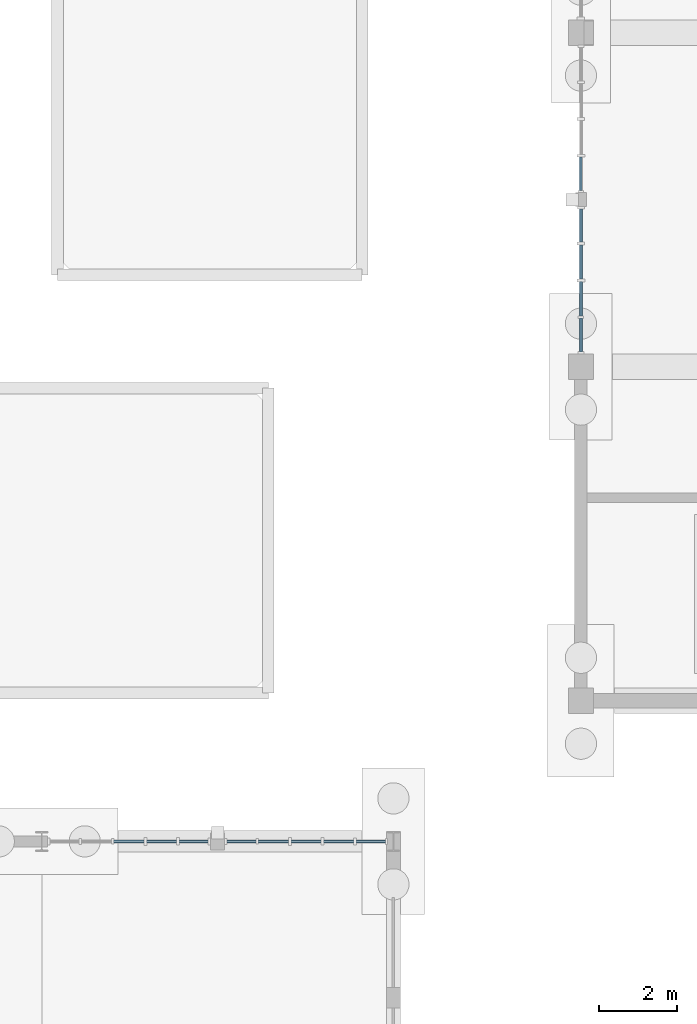
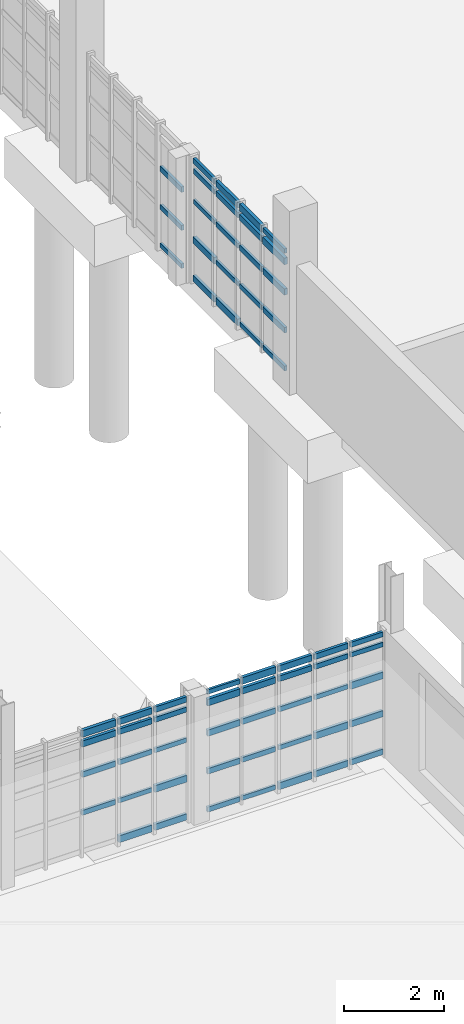
# One storey, part 70 of 125: 62 members, 4 elements without a shape of their own.
"""IFC4 building model written with IfcOpenShell, lengths in metres."""

from ifc_helpers import new_model, si_unit, direction, frame, origin, origin_2d, place, context, subcontext, project, spatial, rectangle, extrude, material, material_profile, profile_set, type_object, element, aggregate, save


model = new_model("IFC4")

# Units and contexts
model_context = context("Model", 3, precision=1e-05, world=origin(), true_north=direction((0.0, 1.0)))
body_context = subcontext(model_context, "Body", "Model", "MODEL_VIEW")
ifc_project = project(units=[si_unit("LENGTHUNIT", "METRE"), si_unit("AREAUNIT", "SQUARE_METRE"), si_unit("VOLUMEUNIT", "CUBIC_METRE"), si_unit("PLANEANGLEUNIT", "RADIAN"), si_unit("MASSUNIT", "GRAM", prefix="KILO")], contexts=[model_context])

# Site, building, storey
site_placement = place(None, origin())
site = spatial("IfcSite", under=ifc_project, at=site_placement, CompositionType="ELEMENT")
building_placement = place(site_placement, origin())
building = spatial("IfcBuilding", under=site, at=building_placement, Name="Serraforn Aerial Cableway Station", CompositionType="ELEMENT")
storey_placement = place(building_placement, frame((0.0, 0.0, 4.5)))
storey = spatial("IfcBuildingStorey", under=building, at=storey_placement, Name="L01", CompositionType="ELEMENT", Elevation=4.5)

# Curtain wall, members
ifc_material_1 = material(Name="Anodised bronze unitised curtain wall")
curtain_wall_type_1 = type_object("IfcCurtainWallType", Name="CW-SYS-21", PredefinedType="USERDEFINED", material=ifc_material_1)
curtain_wall_1_placement = place(storey_placement, origin())
curtain_wall_1 = element("IfcCurtainWall", 1, at=curtain_wall_1_placement, inside=storey, type_object=curtain_wall_type_1, Name="Unitised Curtain Wall CW-EL-L01-N5A", ObjectType="UNITISED CURTAIN WALL", PredefinedType="USERDEFINED")
ifc_material_2 = material(Name="Anodised bronze extruded aluminium", Category="aluminium")
ifc_material_profile_1 = material_profile(ifc_material_2, rectangle(XDim=0.054931640625, YDim=0.110107421875, at=origin_2d()), Name="CW TRANSOM 55x110")
ifc_profile_set_1 = profile_set([ifc_material_profile_1], Name="Anodised bronze extruded aluminium")
member_type_1 = type_object("IfcMemberType", Name="CW-TRN-1", PredefinedType="USERDEFINED", material=ifc_profile_set_1)
member_1_placement = place(storey_placement, frame((138.993896484375, 42.0, 2.74560546875), z_axis=(-1.0, 0.0, 0.0), x_axis=(0.0, -1.0, 0.0)))
member_1 = element("IfcMember", 2, at=member_1_placement, type_object=member_type_1, Name="Curtain Wall Transom CW-EL-L01-N5A-T1-4", ObjectType="TRANSOM", PredefinedType="USERDEFINED", context=body_context, shape_type="SweptSolid", body=[
    extrude(rectangle(XDim=0.054931640625, YDim=0.110107421875, at=origin_2d()), origin(), (0.0, 0.0, 1.0), 0.745849609375),
])
member_2_placement = place(storey_placement, frame((138.18701171875, 42.0, 1.996826171875), z_axis=(-1.0, 0.0, 0.0), x_axis=(0.0, -1.0, 0.0)))
member_2 = element("IfcMember", 3, at=member_2_placement, type_object=member_type_1, Name="Curtain Wall Transom CW-EL-L01-N5A-T2-3", ObjectType="TRANSOM", PredefinedType="USERDEFINED", context=body_context, shape_type="SweptSolid", body=[
    extrude(rectangle(XDim=0.054931640625, YDim=0.110107421875, at=origin_2d()), origin(), (0.0, 0.0, 1.0), 0.770751953125),
])
member_3_placement = place(storey_placement, frame((137.35009765625, 42.0, 1.060791015625), z_axis=(-1.0, 0.0, 0.0), x_axis=(0.0, -1.0, 0.0)))
member_3 = element("IfcMember", 4, at=member_3_placement, type_object=member_type_1, Name="Curtain Wall Transom CW-EL-L01-N5A-T3-2", ObjectType="TRANSOM", PredefinedType="USERDEFINED", context=body_context, shape_type="SweptSolid", body=[
    extrude(rectangle(XDim=0.054931640625, YDim=0.110107421875, at=origin_2d()), origin(), (0.0, 0.0, 1.0), 0.765869140625),
])
member_4_placement = place(storey_placement, frame((136.51318359375, 42.0, 0.124755859375), z_axis=(-1.0, 0.0, 0.0), x_axis=(0.0, -1.0, 0.0)))
member_4 = element("IfcMember", 5, at=member_4_placement, type_object=member_type_1, Name="Curtain Wall Transom CW-EL-L01-N5A-T4-1", ObjectType="TRANSOM", PredefinedType="USERDEFINED", context=body_context, shape_type="SweptSolid", body=[
    extrude(rectangle(XDim=0.054931640625, YDim=0.110107421875, at=origin_2d()), origin(), (0.0, 0.0, 1.0), 0.773193359375),
])
member_5_placement = place(storey_placement, frame((135.68896484375, 42.0, 2.9951171875), z_axis=(-1.0, 0.0, 0.0), x_axis=(0.0, -1.0, 0.0)))
member_5 = element("IfcMember", 6, at=member_5_placement, type_object=member_type_1, Name="Curtain Wall Transom CW-EL-L01-N5A-T5-5", ObjectType="TRANSOM", PredefinedType="USERDEFINED", context=body_context, shape_type="SweptSolid", body=[
    extrude(rectangle(XDim=0.054931640625, YDim=0.110107421875, at=origin_2d()), origin(), (0.0, 0.0, 1.0), 0.7509765625),
])

curtain_wall_type_2 = type_object("IfcCurtainWallType", Name="CW-SYS-22", PredefinedType="USERDEFINED", material=ifc_material_1)
curtain_wall_2_placement = place(storey_placement, origin())
curtain_wall_2 = element("IfcCurtainWall", 7, at=curtain_wall_2_placement, inside=storey, type_object=curtain_wall_type_2, Name="Unitised Curtain Wall CW-EL-L01-N5B", ObjectType="UNITISED CURTAIN WALL", PredefinedType="USERDEFINED")
member_6_placement = place(storey_placement, frame((134.45703125, 42.0, 1.996826171875), z_axis=(-1.0, 0.0, 0.0), x_axis=(0.0, -1.0, 0.0)))
member_6 = element("IfcMember", 8, at=member_6_placement, type_object=member_type_1, Name="Curtain Wall Transom CW-EL-L01-N5B-T1-3", ObjectType="TRANSOM", PredefinedType="USERDEFINED", context=body_context, shape_type="SweptSolid", body=[
    extrude(rectangle(XDim=0.054931640625, YDim=0.110107421875, at=origin_2d()), origin(), (0.0, 0.0, 1.0), 0.738525390625),
])
member_7_placement = place(storey_placement, frame((133.652587890625, 42.0, 1.060791015625), z_axis=(-1.0, 0.0, 0.0), x_axis=(0.0, -1.0, 0.0)))
member_7 = element("IfcMember", 9, at=member_7_placement, type_object=member_type_1, Name="Curtain Wall Transom CW-EL-L01-N5B-T2-2", ObjectType="TRANSOM", PredefinedType="USERDEFINED", context=body_context, shape_type="SweptSolid", body=[
    extrude(rectangle(XDim=0.054931640625, YDim=0.110107421875, at=origin_2d()), origin(), (0.0, 0.0, 1.0), 0.765869140625),
])

# Curtain wall, member
curtain_wall_type_3 = type_object("IfcCurtainWallType", Name="CW-SYS-3", PredefinedType="USERDEFINED", material=ifc_material_1)
curtain_wall_3_placement = place(storey_placement, origin())
curtain_wall_3 = element("IfcCurtainWall", 10, at=curtain_wall_3_placement, inside=storey, type_object=curtain_wall_type_3, Name="Unitised Curtain Wall CW-EG-L01-W2A", ObjectType="UNITISED CURTAIN WALL", PredefinedType="USERDEFINED")
member_8_placement = place(storey_placement, frame((144.0, 59.512451171875, 0.124755859375), z_axis=(0.0, -1.0, 0.0), x_axis=(1.0, 0.0, 0.0)))
member_8 = element("IfcMember", 11, at=member_8_placement, type_object=member_type_1, Name="Curtain Wall Transom CW-EG-L01-W2A-T4-1", ObjectType="TRANSOM", PredefinedType="USERDEFINED", context=body_context, shape_type="SweptSolid", body=[
    extrude(rectangle(XDim=0.054931640625, YDim=0.110107421875, at=origin_2d()), origin(), (0.0, 0.0, 1.0), 0.8544921875),
])

# Curtain wall, members
curtain_wall_type_4 = type_object("IfcCurtainWallType", Name="CW-SYS-4", PredefinedType="USERDEFINED", material=ifc_material_1)
curtain_wall_4_placement = place(storey_placement, origin())
curtain_wall_4 = element("IfcCurtainWall", 12, at=curtain_wall_4_placement, inside=storey, type_object=curtain_wall_type_4, Name="Unitised Curtain Wall CW-EG-L01-W2B", ObjectType="UNITISED CURTAIN WALL", PredefinedType="USERDEFINED")
member_9_placement = place(storey_placement, frame((144.0, 58.181884765625, 1.996826171875), z_axis=(0.0, -1.0, 0.0), x_axis=(1.0, 0.0, 0.0)))
member_9 = element("IfcMember", 13, at=member_9_placement, type_object=member_type_1, Name="Curtain Wall Transom CW-EG-L01-W2B-T1-3", ObjectType="TRANSOM", PredefinedType="USERDEFINED", context=body_context, shape_type="SweptSolid", body=[
    extrude(rectangle(XDim=0.054931640625, YDim=0.110107421875, at=origin_2d()), origin(), (0.0, 0.0, 1.0), 0.846923828125),
])
member_10_placement = place(storey_placement, frame((144.0, 57.26904296875, 1.060791015625), z_axis=(0.0, -1.0, 0.0), x_axis=(1.0, 0.0, 0.0)))
member_10 = element("IfcMember", 14, at=member_10_placement, type_object=member_type_1, Name="Curtain Wall Transom CW-EG-L01-W2B-T2-2", ObjectType="TRANSOM", PredefinedType="USERDEFINED", context=body_context, shape_type="SweptSolid", body=[
    extrude(rectangle(XDim=0.054931640625, YDim=0.110107421875, at=origin_2d()), origin(), (0.0, 0.0, 1.0), 0.87451171875),
])
member_11_placement = place(storey_placement, frame((144.0, 56.323486328125, 0.124755859375), z_axis=(0.0, -1.0, 0.0), x_axis=(1.0, 0.0, 0.0)))
member_11 = element("IfcMember", 15, at=member_11_placement, type_object=member_type_1, Name="Curtain Wall Transom CW-EG-L01-W2B-T3-1", ObjectType="TRANSOM", PredefinedType="USERDEFINED", context=body_context, shape_type="SweptSolid", body=[
    extrude(rectangle(XDim=0.054931640625, YDim=0.110107421875, at=origin_2d()), origin(), (0.0, 0.0, 1.0), 0.882080078125),
])
member_12_placement = place(storey_placement, frame((144.0, 55.390380859375, 2.9951171875), z_axis=(0.0, -1.0, 0.0), x_axis=(1.0, 0.0, 0.0)))
member_12 = element("IfcMember", 16, at=member_12_placement, type_object=member_type_1, Name="Curtain Wall Transom CW-EG-L01-W2B-T4-5", ObjectType="TRANSOM", PredefinedType="USERDEFINED", context=body_context, shape_type="SweptSolid", body=[
    extrude(rectangle(XDim=0.054931640625, YDim=0.110107421875, at=origin_2d()), origin(), (0.0, 0.0, 1.0), 0.859375),
])

# Member
ifc_material_profile_2 = material_profile(ifc_material_2, rectangle(XDim=0.06005859375, YDim=0.1201171875, at=origin_2d()), Name="CW TRANSOM 60x120")
ifc_profile_set_2 = profile_set([ifc_material_profile_2], Name="Anodised bronze extruded aluminium")
member_type_2 = type_object("IfcMemberType", Name="CW-TRN-2", PredefinedType="USERDEFINED", material=ifc_profile_set_2)
member_13_placement = place(storey_placement, frame((138.993896484375, 42.0, 2.9951171875), z_axis=(-1.0, 0.0, 0.0), x_axis=(0.0, -1.0, 0.0)))
member_13 = element("IfcMember", 17, at=member_13_placement, type_object=member_type_2, Name="Curtain Wall Transom CW-EL-L01-N5A-T1-5", ObjectType="TRANSOM", PredefinedType="USERDEFINED", context=body_context, shape_type="SweptSolid", body=[
    extrude(rectangle(XDim=0.06005859375, YDim=0.1201171875, at=origin_2d()), origin(), (0.0, 0.0, 1.0), 0.745849609375),
])

member_14_placement = place(storey_placement, frame((138.18701171875, 42.0, 2.74560546875), z_axis=(-1.0, 0.0, 0.0), x_axis=(0.0, -1.0, 0.0)))
member_14 = element("IfcMember", 18, at=member_14_placement, type_object=member_type_2, Name="Curtain Wall Transom CW-EL-L01-N5A-T2-4", ObjectType="TRANSOM", PredefinedType="USERDEFINED", context=body_context, shape_type="SweptSolid", body=[
    extrude(rectangle(XDim=0.06005859375, YDim=0.1201171875, at=origin_2d()), origin(), (0.0, 0.0, 1.0), 0.770751953125),
])

member_15_placement = place(storey_placement, frame((137.35009765625, 42.0, 1.996826171875), z_axis=(-1.0, 0.0, 0.0), x_axis=(0.0, -1.0, 0.0)))
member_15 = element("IfcMember", 19, at=member_15_placement, type_object=member_type_2, Name="Curtain Wall Transom CW-EL-L01-N5A-T3-3", ObjectType="TRANSOM", PredefinedType="USERDEFINED", context=body_context, shape_type="SweptSolid", body=[
    extrude(rectangle(XDim=0.06005859375, YDim=0.1201171875, at=origin_2d()), origin(), (0.0, 0.0, 1.0), 0.765869140625),
])

member_16_placement = place(storey_placement, frame((136.51318359375, 42.0, 1.060791015625), z_axis=(-1.0, 0.0, 0.0), x_axis=(0.0, -1.0, 0.0)))
member_16 = element("IfcMember", 20, at=member_16_placement, type_object=member_type_2, Name="Curtain Wall Transom CW-EL-L01-N5A-T4-2", ObjectType="TRANSOM", PredefinedType="USERDEFINED", context=body_context, shape_type="SweptSolid", body=[
    extrude(rectangle(XDim=0.06005859375, YDim=0.1201171875, at=origin_2d()), origin(), (0.0, 0.0, 1.0), 0.773193359375),
])

member_17_placement = place(storey_placement, frame((135.68896484375, 42.0, 0.124755859375), z_axis=(-1.0, 0.0, 0.0), x_axis=(0.0, -1.0, 0.0)))
member_17 = element("IfcMember", 21, at=member_17_placement, type_object=member_type_2, Name="Curtain Wall Transom CW-EL-L01-N5A-T5-1", ObjectType="TRANSOM", PredefinedType="USERDEFINED", context=body_context, shape_type="SweptSolid", body=[
    extrude(rectangle(XDim=0.06005859375, YDim=0.1201171875, at=origin_2d()), origin(), (0.0, 0.0, 1.0), 0.7509765625),
])

member_18_placement = place(storey_placement, frame((134.45703125, 42.0, 2.74560546875), z_axis=(-1.0, 0.0, 0.0), x_axis=(0.0, -1.0, 0.0)))
member_18 = element("IfcMember", 22, at=member_18_placement, type_object=member_type_2, Name="Curtain Wall Transom CW-EL-L01-N5B-T1-4", ObjectType="TRANSOM", PredefinedType="USERDEFINED", context=body_context, shape_type="SweptSolid", body=[
    extrude(rectangle(XDim=0.06005859375, YDim=0.1201171875, at=origin_2d()), origin(), (0.0, 0.0, 1.0), 0.738525390625),
])

member_19_placement = place(storey_placement, frame((133.652587890625, 42.0, 1.996826171875), z_axis=(-1.0, 0.0, 0.0), x_axis=(0.0, -1.0, 0.0)))
member_19 = element("IfcMember", 23, at=member_19_placement, type_object=member_type_2, Name="Curtain Wall Transom CW-EL-L01-N5B-T2-3", ObjectType="TRANSOM", PredefinedType="USERDEFINED", context=body_context, shape_type="SweptSolid", body=[
    extrude(rectangle(XDim=0.06005859375, YDim=0.1201171875, at=origin_2d()), origin(), (0.0, 0.0, 1.0), 0.765869140625),
])

member_20_placement = place(storey_placement, frame((132.815673828125, 42.0, 1.060791015625), z_axis=(-1.0, 0.0, 0.0), x_axis=(0.0, -1.0, 0.0)))
member_20 = element("IfcMember", 24, at=member_20_placement, type_object=member_type_2, Name="Curtain Wall Transom CW-EL-L01-N5B-T3-2", ObjectType="TRANSOM", PredefinedType="USERDEFINED", context=body_context, shape_type="SweptSolid", body=[
    extrude(rectangle(XDim=0.06005859375, YDim=0.1201171875, at=origin_2d()), origin(), (0.0, 0.0, 1.0), 0.7734375),
])

member_21_placement = place(storey_placement, frame((144.0, 59.512451171875, 1.060791015625), z_axis=(0.0, -1.0, 0.0), x_axis=(1.0, 0.0, 0.0)))
member_21 = element("IfcMember", 25, at=member_21_placement, type_object=member_type_2, Name="Curtain Wall Transom CW-EG-L01-W2A-T4-2", ObjectType="TRANSOM", PredefinedType="USERDEFINED", context=body_context, shape_type="SweptSolid", body=[
    extrude(rectangle(XDim=0.06005859375, YDim=0.1201171875, at=origin_2d()), origin(), (0.0, 0.0, 1.0), 0.8544921875),
])

member_22_placement = place(storey_placement, frame((144.0, 58.181884765625, 2.74560546875), z_axis=(0.0, -1.0, 0.0), x_axis=(1.0, 0.0, 0.0)))
member_22 = element("IfcMember", 26, at=member_22_placement, type_object=member_type_2, Name="Curtain Wall Transom CW-EG-L01-W2B-T1-4", ObjectType="TRANSOM", PredefinedType="USERDEFINED", context=body_context, shape_type="SweptSolid", body=[
    extrude(rectangle(XDim=0.06005859375, YDim=0.1201171875, at=origin_2d()), origin(), (0.0, 0.0, 1.0), 0.846923828125),
])

member_23_placement = place(storey_placement, frame((144.0, 57.26904296875, 1.996826171875), z_axis=(0.0, -1.0, 0.0), x_axis=(1.0, 0.0, 0.0)))
member_23 = element("IfcMember", 27, at=member_23_placement, type_object=member_type_2, Name="Curtain Wall Transom CW-EG-L01-W2B-T2-3", ObjectType="TRANSOM", PredefinedType="USERDEFINED", context=body_context, shape_type="SweptSolid", body=[
    extrude(rectangle(XDim=0.06005859375, YDim=0.1201171875, at=origin_2d()), origin(), (0.0, 0.0, 1.0), 0.87451171875),
])

member_24_placement = place(storey_placement, frame((144.0, 56.323486328125, 1.060791015625), z_axis=(0.0, -1.0, 0.0), x_axis=(1.0, 0.0, 0.0)))
member_24 = element("IfcMember", 28, at=member_24_placement, type_object=member_type_2, Name="Curtain Wall Transom CW-EG-L01-W2B-T3-2", ObjectType="TRANSOM", PredefinedType="USERDEFINED", context=body_context, shape_type="SweptSolid", body=[
    extrude(rectangle(XDim=0.06005859375, YDim=0.1201171875, at=origin_2d()), origin(), (0.0, 0.0, 1.0), 0.882080078125),
])

member_25_placement = place(storey_placement, frame((144.0, 55.390380859375, 0.124755859375), z_axis=(0.0, -1.0, 0.0), x_axis=(1.0, 0.0, 0.0)))
member_25 = element("IfcMember", 29, at=member_25_placement, type_object=member_type_2, Name="Curtain Wall Transom CW-EG-L01-W2B-T4-1", ObjectType="TRANSOM", PredefinedType="USERDEFINED", context=body_context, shape_type="SweptSolid", body=[
    extrude(rectangle(XDim=0.06005859375, YDim=0.1201171875, at=origin_2d()), origin(), (0.0, 0.0, 1.0), 0.859375),
])

ifc_material_profile_3 = material_profile(ifc_material_2, rectangle(XDim=0.06494140625, YDim=0.135009765625, at=origin_2d()), Name="CW TRANSOM 65x135")
ifc_profile_set_3 = profile_set([ifc_material_profile_3], Name="Anodised bronze extruded aluminium")
member_type_3 = type_object("IfcMemberType", Name="CW-TRN-3", PredefinedType="USERDEFINED", material=ifc_profile_set_3)
member_26_placement = place(storey_placement, frame((138.993896484375, 42.0, 0.124755859375), z_axis=(-1.0, 0.0, 0.0), x_axis=(0.0, -1.0, 0.0)))
member_26 = element("IfcMember", 30, at=member_26_placement, type_object=member_type_3, Name="Curtain Wall Transom CW-EL-L01-N5A-T1-1", ObjectType="TRANSOM", PredefinedType="USERDEFINED", context=body_context, shape_type="SweptSolid", body=[
    extrude(rectangle(XDim=0.06494140625, YDim=0.135009765625, at=origin_2d()), origin(), (0.0, 0.0, 1.0), 0.745849609375),
])

member_27_placement = place(storey_placement, frame((138.18701171875, 42.0, 2.9951171875), z_axis=(-1.0, 0.0, 0.0), x_axis=(0.0, -1.0, 0.0)))
member_27 = element("IfcMember", 31, at=member_27_placement, type_object=member_type_3, Name="Curtain Wall Transom CW-EL-L01-N5A-T2-5", ObjectType="TRANSOM", PredefinedType="USERDEFINED", context=body_context, shape_type="SweptSolid", body=[
    extrude(rectangle(XDim=0.06494140625, YDim=0.135009765625, at=origin_2d()), origin(), (0.0, 0.0, 1.0), 0.770751953125),
])

member_28_placement = place(storey_placement, frame((137.35009765625, 42.0, 2.74560546875), z_axis=(-1.0, 0.0, 0.0), x_axis=(0.0, -1.0, 0.0)))
member_28 = element("IfcMember", 32, at=member_28_placement, type_object=member_type_3, Name="Curtain Wall Transom CW-EL-L01-N5A-T3-4", ObjectType="TRANSOM", PredefinedType="USERDEFINED", context=body_context, shape_type="SweptSolid", body=[
    extrude(rectangle(XDim=0.06494140625, YDim=0.135009765625, at=origin_2d()), origin(), (0.0, 0.0, 1.0), 0.765869140625),
])

member_29_placement = place(storey_placement, frame((136.51318359375, 42.0, 1.996826171875), z_axis=(-1.0, 0.0, 0.0), x_axis=(0.0, -1.0, 0.0)))
member_29 = element("IfcMember", 33, at=member_29_placement, type_object=member_type_3, Name="Curtain Wall Transom CW-EL-L01-N5A-T4-3", ObjectType="TRANSOM", PredefinedType="USERDEFINED", context=body_context, shape_type="SweptSolid", body=[
    extrude(rectangle(XDim=0.06494140625, YDim=0.135009765625, at=origin_2d()), origin(), (0.0, 0.0, 1.0), 0.773193359375),
])

member_30_placement = place(storey_placement, frame((135.68896484375, 42.0, 1.060791015625), z_axis=(-1.0, 0.0, 0.0), x_axis=(0.0, -1.0, 0.0)))
member_30 = element("IfcMember", 34, at=member_30_placement, type_object=member_type_3, Name="Curtain Wall Transom CW-EL-L01-N5A-T5-2", ObjectType="TRANSOM", PredefinedType="USERDEFINED", context=body_context, shape_type="SweptSolid", body=[
    extrude(rectangle(XDim=0.06494140625, YDim=0.135009765625, at=origin_2d()), origin(), (0.0, 0.0, 1.0), 0.7509765625),
])

member_31_placement = place(storey_placement, frame((134.45703125, 42.0, 2.9951171875), z_axis=(-1.0, 0.0, 0.0), x_axis=(0.0, -1.0, 0.0)))
member_31 = element("IfcMember", 35, at=member_31_placement, type_object=member_type_3, Name="Curtain Wall Transom CW-EL-L01-N5B-T1-5", ObjectType="TRANSOM", PredefinedType="USERDEFINED", context=body_context, shape_type="SweptSolid", body=[
    extrude(rectangle(XDim=0.06494140625, YDim=0.135009765625, at=origin_2d()), origin(), (0.0, 0.0, 1.0), 0.738525390625),
])

member_32_placement = place(storey_placement, frame((133.652587890625, 42.0, 2.74560546875), z_axis=(-1.0, 0.0, 0.0), x_axis=(0.0, -1.0, 0.0)))
member_32 = element("IfcMember", 36, at=member_32_placement, type_object=member_type_3, Name="Curtain Wall Transom CW-EL-L01-N5B-T2-4", ObjectType="TRANSOM", PredefinedType="USERDEFINED", context=body_context, shape_type="SweptSolid", body=[
    extrude(rectangle(XDim=0.06494140625, YDim=0.135009765625, at=origin_2d()), origin(), (0.0, 0.0, 1.0), 0.765869140625),
])

member_33_placement = place(storey_placement, frame((132.815673828125, 42.0, 1.996826171875), z_axis=(-1.0, 0.0, 0.0), x_axis=(0.0, -1.0, 0.0)))
member_33 = element("IfcMember", 37, at=member_33_placement, type_object=member_type_3, Name="Curtain Wall Transom CW-EL-L01-N5B-T3-3", ObjectType="TRANSOM", PredefinedType="USERDEFINED", context=body_context, shape_type="SweptSolid", body=[
    extrude(rectangle(XDim=0.06494140625, YDim=0.135009765625, at=origin_2d()), origin(), (0.0, 0.0, 1.0), 0.7734375),
])

member_34_placement = place(storey_placement, frame((144.0, 59.512451171875, 1.996826171875), z_axis=(0.0, -1.0, 0.0), x_axis=(1.0, 0.0, 0.0)))
member_34 = element("IfcMember", 38, at=member_34_placement, type_object=member_type_3, Name="Curtain Wall Transom CW-EG-L01-W2A-T4-3", ObjectType="TRANSOM", PredefinedType="USERDEFINED", context=body_context, shape_type="SweptSolid", body=[
    extrude(rectangle(XDim=0.06494140625, YDim=0.135009765625, at=origin_2d()), origin(), (0.0, 0.0, 1.0), 0.8544921875),
])

aggregate(curtain_wall_3, [member_8, member_21, member_34])

member_35_placement = place(storey_placement, frame((144.0, 58.181884765625, 2.9951171875), z_axis=(0.0, -1.0, 0.0), x_axis=(1.0, 0.0, 0.0)))
member_35 = element("IfcMember", 39, at=member_35_placement, type_object=member_type_3, Name="Curtain Wall Transom CW-EG-L01-W2B-T1-5", ObjectType="TRANSOM", PredefinedType="USERDEFINED", context=body_context, shape_type="SweptSolid", body=[
    extrude(rectangle(XDim=0.06494140625, YDim=0.135009765625, at=origin_2d()), origin(), (0.0, 0.0, 1.0), 0.846923828125),
])

member_36_placement = place(storey_placement, frame((144.0, 57.26904296875, 2.74560546875), z_axis=(0.0, -1.0, 0.0), x_axis=(1.0, 0.0, 0.0)))
member_36 = element("IfcMember", 40, at=member_36_placement, type_object=member_type_3, Name="Curtain Wall Transom CW-EG-L01-W2B-T2-4", ObjectType="TRANSOM", PredefinedType="USERDEFINED", context=body_context, shape_type="SweptSolid", body=[
    extrude(rectangle(XDim=0.06494140625, YDim=0.135009765625, at=origin_2d()), origin(), (0.0, 0.0, 1.0), 0.87451171875),
])

member_37_placement = place(storey_placement, frame((144.0, 56.323486328125, 1.996826171875), z_axis=(0.0, -1.0, 0.0), x_axis=(1.0, 0.0, 0.0)))
member_37 = element("IfcMember", 41, at=member_37_placement, type_object=member_type_3, Name="Curtain Wall Transom CW-EG-L01-W2B-T3-3", ObjectType="TRANSOM", PredefinedType="USERDEFINED", context=body_context, shape_type="SweptSolid", body=[
    extrude(rectangle(XDim=0.06494140625, YDim=0.135009765625, at=origin_2d()), origin(), (0.0, 0.0, 1.0), 0.882080078125),
])

member_38_placement = place(storey_placement, frame((144.0, 55.390380859375, 1.060791015625), z_axis=(0.0, -1.0, 0.0), x_axis=(1.0, 0.0, 0.0)))
member_38 = element("IfcMember", 42, at=member_38_placement, type_object=member_type_3, Name="Curtain Wall Transom CW-EG-L01-W2B-T4-2", ObjectType="TRANSOM", PredefinedType="USERDEFINED", context=body_context, shape_type="SweptSolid", body=[
    extrude(rectangle(XDim=0.06494140625, YDim=0.135009765625, at=origin_2d()), origin(), (0.0, 0.0, 1.0), 0.859375),
])

ifc_material_profile_4 = material_profile(ifc_material_2, rectangle(XDim=0.070068359375, YDim=0.14990234375, at=origin_2d()), Name="CW TRANSOM 70x150")
ifc_profile_set_4 = profile_set([ifc_material_profile_4], Name="Anodised bronze extruded aluminium")
member_type_4 = type_object("IfcMemberType", Name="CW-TRN-4", PredefinedType="USERDEFINED", material=ifc_profile_set_4)
member_39_placement = place(storey_placement, frame((138.993896484375, 42.0, 1.060791015625), z_axis=(-1.0, 0.0, 0.0), x_axis=(0.0, -1.0, 0.0)))
member_39 = element("IfcMember", 43, at=member_39_placement, type_object=member_type_4, Name="Curtain Wall Transom CW-EL-L01-N5A-T1-2", ObjectType="TRANSOM", PredefinedType="USERDEFINED", context=body_context, shape_type="SweptSolid", body=[
    extrude(rectangle(XDim=0.070068359375, YDim=0.14990234375, at=origin_2d()), origin(), (0.0, 0.0, 1.0), 0.745849609375),
])

member_40_placement = place(storey_placement, frame((138.18701171875, 42.0, 0.124755859375), z_axis=(-1.0, 0.0, 0.0), x_axis=(0.0, -1.0, 0.0)))
member_40 = element("IfcMember", 44, at=member_40_placement, type_object=member_type_4, Name="Curtain Wall Transom CW-EL-L01-N5A-T2-1", ObjectType="TRANSOM", PredefinedType="USERDEFINED", context=body_context, shape_type="SweptSolid", body=[
    extrude(rectangle(XDim=0.070068359375, YDim=0.14990234375, at=origin_2d()), origin(), (0.0, 0.0, 1.0), 0.770751953125),
])

member_41_placement = place(storey_placement, frame((137.35009765625, 42.0, 2.9951171875), z_axis=(-1.0, 0.0, 0.0), x_axis=(0.0, -1.0, 0.0)))
member_41 = element("IfcMember", 45, at=member_41_placement, type_object=member_type_4, Name="Curtain Wall Transom CW-EL-L01-N5A-T3-5", ObjectType="TRANSOM", PredefinedType="USERDEFINED", context=body_context, shape_type="SweptSolid", body=[
    extrude(rectangle(XDim=0.070068359375, YDim=0.14990234375, at=origin_2d()), origin(), (0.0, 0.0, 1.0), 0.765869140625),
])

member_42_placement = place(storey_placement, frame((136.51318359375, 42.0, 2.74560546875), z_axis=(-1.0, 0.0, 0.0), x_axis=(0.0, -1.0, 0.0)))
member_42 = element("IfcMember", 46, at=member_42_placement, type_object=member_type_4, Name="Curtain Wall Transom CW-EL-L01-N5A-T4-4", ObjectType="TRANSOM", PredefinedType="USERDEFINED", context=body_context, shape_type="SweptSolid", body=[
    extrude(rectangle(XDim=0.070068359375, YDim=0.14990234375, at=origin_2d()), origin(), (0.0, 0.0, 1.0), 0.773193359375),
])

member_43_placement = place(storey_placement, frame((135.68896484375, 42.0, 1.996826171875), z_axis=(-1.0, 0.0, 0.0), x_axis=(0.0, -1.0, 0.0)))
member_43 = element("IfcMember", 47, at=member_43_placement, type_object=member_type_4, Name="Curtain Wall Transom CW-EL-L01-N5A-T5-3", ObjectType="TRANSOM", PredefinedType="USERDEFINED", context=body_context, shape_type="SweptSolid", body=[
    extrude(rectangle(XDim=0.070068359375, YDim=0.14990234375, at=origin_2d()), origin(), (0.0, 0.0, 1.0), 0.7509765625),
])

member_44_placement = place(storey_placement, frame((134.45703125, 42.0, 0.124755859375), z_axis=(-1.0, 0.0, 0.0), x_axis=(0.0, -1.0, 0.0)))
member_44 = element("IfcMember", 48, at=member_44_placement, type_object=member_type_4, Name="Curtain Wall Transom CW-EL-L01-N5B-T1-1", ObjectType="TRANSOM", PredefinedType="USERDEFINED", context=body_context, shape_type="SweptSolid", body=[
    extrude(rectangle(XDim=0.070068359375, YDim=0.14990234375, at=origin_2d()), origin(), (0.0, 0.0, 1.0), 0.738525390625),
])

member_45_placement = place(storey_placement, frame((133.652587890625, 42.0, 2.9951171875), z_axis=(-1.0, 0.0, 0.0), x_axis=(0.0, -1.0, 0.0)))
member_45 = element("IfcMember", 49, at=member_45_placement, type_object=member_type_4, Name="Curtain Wall Transom CW-EL-L01-N5B-T2-5", ObjectType="TRANSOM", PredefinedType="USERDEFINED", context=body_context, shape_type="SweptSolid", body=[
    extrude(rectangle(XDim=0.070068359375, YDim=0.14990234375, at=origin_2d()), origin(), (0.0, 0.0, 1.0), 0.765869140625),
])

member_46_placement = place(storey_placement, frame((132.815673828125, 42.0, 2.74560546875), z_axis=(-1.0, 0.0, 0.0), x_axis=(0.0, -1.0, 0.0)))
member_46 = element("IfcMember", 50, at=member_46_placement, type_object=member_type_4, Name="Curtain Wall Transom CW-EL-L01-N5B-T3-4", ObjectType="TRANSOM", PredefinedType="USERDEFINED", context=body_context, shape_type="SweptSolid", body=[
    extrude(rectangle(XDim=0.070068359375, YDim=0.14990234375, at=origin_2d()), origin(), (0.0, 0.0, 1.0), 0.7734375),
])

member_47_placement = place(storey_placement, frame((144.0, 58.181884765625, 0.124755859375), z_axis=(0.0, -1.0, 0.0), x_axis=(1.0, 0.0, 0.0)))
member_47 = element("IfcMember", 51, at=member_47_placement, type_object=member_type_4, Name="Curtain Wall Transom CW-EG-L01-W2B-T1-1", ObjectType="TRANSOM", PredefinedType="USERDEFINED", context=body_context, shape_type="SweptSolid", body=[
    extrude(rectangle(XDim=0.070068359375, YDim=0.14990234375, at=origin_2d()), origin(), (0.0, 0.0, 1.0), 0.846923828125),
])

member_48_placement = place(storey_placement, frame((144.0, 57.26904296875, 2.9951171875), z_axis=(0.0, -1.0, 0.0), x_axis=(1.0, 0.0, 0.0)))
member_48 = element("IfcMember", 52, at=member_48_placement, type_object=member_type_4, Name="Curtain Wall Transom CW-EG-L01-W2B-T2-5", ObjectType="TRANSOM", PredefinedType="USERDEFINED", context=body_context, shape_type="SweptSolid", body=[
    extrude(rectangle(XDim=0.070068359375, YDim=0.14990234375, at=origin_2d()), origin(), (0.0, 0.0, 1.0), 0.87451171875),
])

member_49_placement = place(storey_placement, frame((144.0, 56.323486328125, 2.74560546875), z_axis=(0.0, -1.0, 0.0), x_axis=(1.0, 0.0, 0.0)))
member_49 = element("IfcMember", 53, at=member_49_placement, type_object=member_type_4, Name="Curtain Wall Transom CW-EG-L01-W2B-T3-4", ObjectType="TRANSOM", PredefinedType="USERDEFINED", context=body_context, shape_type="SweptSolid", body=[
    extrude(rectangle(XDim=0.070068359375, YDim=0.14990234375, at=origin_2d()), origin(), (0.0, 0.0, 1.0), 0.882080078125),
])

member_50_placement = place(storey_placement, frame((144.0, 55.390380859375, 1.996826171875), z_axis=(0.0, -1.0, 0.0), x_axis=(1.0, 0.0, 0.0)))
member_50 = element("IfcMember", 54, at=member_50_placement, type_object=member_type_4, Name="Curtain Wall Transom CW-EG-L01-W2B-T4-3", ObjectType="TRANSOM", PredefinedType="USERDEFINED", context=body_context, shape_type="SweptSolid", body=[
    extrude(rectangle(XDim=0.070068359375, YDim=0.14990234375, at=origin_2d()), origin(), (0.0, 0.0, 1.0), 0.859375),
])

ifc_material_profile_5 = material_profile(ifc_material_2, rectangle(XDim=0.074951171875, YDim=0.1650390625, at=origin_2d()), Name="CW TRANSOM 75x165")
ifc_profile_set_5 = profile_set([ifc_material_profile_5], Name="Anodised bronze extruded aluminium")
member_type_5 = type_object("IfcMemberType", Name="CW-TRN-5", PredefinedType="USERDEFINED", material=ifc_profile_set_5)
member_51_placement = place(storey_placement, frame((138.993896484375, 42.0, 1.996826171875), z_axis=(-1.0, 0.0, 0.0), x_axis=(0.0, -1.0, 0.0)))
member_51 = element("IfcMember", 55, at=member_51_placement, type_object=member_type_5, Name="Curtain Wall Transom CW-EL-L01-N5A-T1-3", ObjectType="TRANSOM", PredefinedType="USERDEFINED", context=body_context, shape_type="SweptSolid", body=[
    extrude(rectangle(XDim=0.074951171875, YDim=0.1650390625, at=origin_2d()), origin(), (0.0, 0.0, 1.0), 0.745849609375),
])

member_52_placement = place(storey_placement, frame((138.18701171875, 42.0, 1.060791015625), z_axis=(-1.0, 0.0, 0.0), x_axis=(0.0, -1.0, 0.0)))
member_52 = element("IfcMember", 56, at=member_52_placement, type_object=member_type_5, Name="Curtain Wall Transom CW-EL-L01-N5A-T2-2", ObjectType="TRANSOM", PredefinedType="USERDEFINED", context=body_context, shape_type="SweptSolid", body=[
    extrude(rectangle(XDim=0.074951171875, YDim=0.1650390625, at=origin_2d()), origin(), (0.0, 0.0, 1.0), 0.770751953125),
])

member_53_placement = place(storey_placement, frame((137.35009765625, 42.0, 0.124755859375), z_axis=(-1.0, 0.0, 0.0), x_axis=(0.0, -1.0, 0.0)))
member_53 = element("IfcMember", 57, at=member_53_placement, type_object=member_type_5, Name="Curtain Wall Transom CW-EL-L01-N5A-T3-1", ObjectType="TRANSOM", PredefinedType="USERDEFINED", context=body_context, shape_type="SweptSolid", body=[
    extrude(rectangle(XDim=0.074951171875, YDim=0.1650390625, at=origin_2d()), origin(), (0.0, 0.0, 1.0), 0.765869140625),
])

member_54_placement = place(storey_placement, frame((136.51318359375, 42.0, 2.9951171875), z_axis=(-1.0, 0.0, 0.0), x_axis=(0.0, -1.0, 0.0)))
member_54 = element("IfcMember", 58, at=member_54_placement, type_object=member_type_5, Name="Curtain Wall Transom CW-EL-L01-N5A-T4-5", ObjectType="TRANSOM", PredefinedType="USERDEFINED", context=body_context, shape_type="SweptSolid", body=[
    extrude(rectangle(XDim=0.074951171875, YDim=0.1650390625, at=origin_2d()), origin(), (0.0, 0.0, 1.0), 0.773193359375),
])

member_55_placement = place(storey_placement, frame((135.68896484375, 42.0, 2.74560546875), z_axis=(-1.0, 0.0, 0.0), x_axis=(0.0, -1.0, 0.0)))
member_55 = element("IfcMember", 59, at=member_55_placement, type_object=member_type_5, Name="Curtain Wall Transom CW-EL-L01-N5A-T5-4", ObjectType="TRANSOM", PredefinedType="USERDEFINED", context=body_context, shape_type="SweptSolid", body=[
    extrude(rectangle(XDim=0.074951171875, YDim=0.1650390625, at=origin_2d()), origin(), (0.0, 0.0, 1.0), 0.7509765625),
])

aggregate(curtain_wall_1, [member_26, member_39, member_51, member_1, member_13, member_40, member_52, member_2, member_14, member_27, member_53, member_3, member_15, member_28, member_41, member_4, member_16, member_29, member_42, member_54, member_17, member_30, member_43, member_55, member_5])

member_56_placement = place(storey_placement, frame((134.45703125, 42.0, 1.060791015625), z_axis=(-1.0, 0.0, 0.0), x_axis=(0.0, -1.0, 0.0)))
member_56 = element("IfcMember", 60, at=member_56_placement, type_object=member_type_5, Name="Curtain Wall Transom CW-EL-L01-N5B-T1-2", ObjectType="TRANSOM", PredefinedType="USERDEFINED", context=body_context, shape_type="SweptSolid", body=[
    extrude(rectangle(XDim=0.074951171875, YDim=0.1650390625, at=origin_2d()), origin(), (0.0, 0.0, 1.0), 0.738525390625),
])

member_57_placement = place(storey_placement, frame((133.652587890625, 42.0, 0.124755859375), z_axis=(-1.0, 0.0, 0.0), x_axis=(0.0, -1.0, 0.0)))
member_57 = element("IfcMember", 61, at=member_57_placement, type_object=member_type_5, Name="Curtain Wall Transom CW-EL-L01-N5B-T2-1", ObjectType="TRANSOM", PredefinedType="USERDEFINED", context=body_context, shape_type="SweptSolid", body=[
    extrude(rectangle(XDim=0.074951171875, YDim=0.1650390625, at=origin_2d()), origin(), (0.0, 0.0, 1.0), 0.765869140625),
])

member_58_placement = place(storey_placement, frame((132.815673828125, 42.0, 2.9951171875), z_axis=(-1.0, 0.0, 0.0), x_axis=(0.0, -1.0, 0.0)))
member_58 = element("IfcMember", 62, at=member_58_placement, type_object=member_type_5, Name="Curtain Wall Transom CW-EL-L01-N5B-T3-5", ObjectType="TRANSOM", PredefinedType="USERDEFINED", context=body_context, shape_type="SweptSolid", body=[
    extrude(rectangle(XDim=0.074951171875, YDim=0.1650390625, at=origin_2d()), origin(), (0.0, 0.0, 1.0), 0.7734375),
])

aggregate(curtain_wall_2, [member_44, member_56, member_6, member_18, member_31, member_57, member_7, member_19, member_32, member_45, member_20, member_33, member_46, member_58])

member_59_placement = place(storey_placement, frame((144.0, 58.181884765625, 1.060791015625), z_axis=(0.0, -1.0, 0.0), x_axis=(1.0, 0.0, 0.0)))
member_59 = element("IfcMember", 63, at=member_59_placement, type_object=member_type_5, Name="Curtain Wall Transom CW-EG-L01-W2B-T1-2", ObjectType="TRANSOM", PredefinedType="USERDEFINED", context=body_context, shape_type="SweptSolid", body=[
    extrude(rectangle(XDim=0.074951171875, YDim=0.1650390625, at=origin_2d()), origin(), (0.0, 0.0, 1.0), 0.846923828125),
])

member_60_placement = place(storey_placement, frame((144.0, 57.26904296875, 0.124755859375), z_axis=(0.0, -1.0, 0.0), x_axis=(1.0, 0.0, 0.0)))
member_60 = element("IfcMember", 64, at=member_60_placement, type_object=member_type_5, Name="Curtain Wall Transom CW-EG-L01-W2B-T2-1", ObjectType="TRANSOM", PredefinedType="USERDEFINED", context=body_context, shape_type="SweptSolid", body=[
    extrude(rectangle(XDim=0.074951171875, YDim=0.1650390625, at=origin_2d()), origin(), (0.0, 0.0, 1.0), 0.87451171875),
])

member_61_placement = place(storey_placement, frame((144.0, 56.323486328125, 2.9951171875), z_axis=(0.0, -1.0, 0.0), x_axis=(1.0, 0.0, 0.0)))
member_61 = element("IfcMember", 65, at=member_61_placement, type_object=member_type_5, Name="Curtain Wall Transom CW-EG-L01-W2B-T3-5", ObjectType="TRANSOM", PredefinedType="USERDEFINED", context=body_context, shape_type="SweptSolid", body=[
    extrude(rectangle(XDim=0.074951171875, YDim=0.1650390625, at=origin_2d()), origin(), (0.0, 0.0, 1.0), 0.882080078125),
])

member_62_placement = place(storey_placement, frame((144.0, 55.390380859375, 2.74560546875), z_axis=(0.0, -1.0, 0.0), x_axis=(1.0, 0.0, 0.0)))
member_62 = element("IfcMember", 66, at=member_62_placement, type_object=member_type_5, Name="Curtain Wall Transom CW-EG-L01-W2B-T4-4", ObjectType="TRANSOM", PredefinedType="USERDEFINED", context=body_context, shape_type="SweptSolid", body=[
    extrude(rectangle(XDim=0.074951171875, YDim=0.1650390625, at=origin_2d()), origin(), (0.0, 0.0, 1.0), 0.859375),
])

aggregate(curtain_wall_4, [member_47, member_59, member_9, member_22, member_35, member_60, member_10, member_23, member_36, member_48, member_11, member_24, member_37, member_49, member_61, member_25, member_38, member_50, member_62, member_12])

save(model, "model.ifc")
